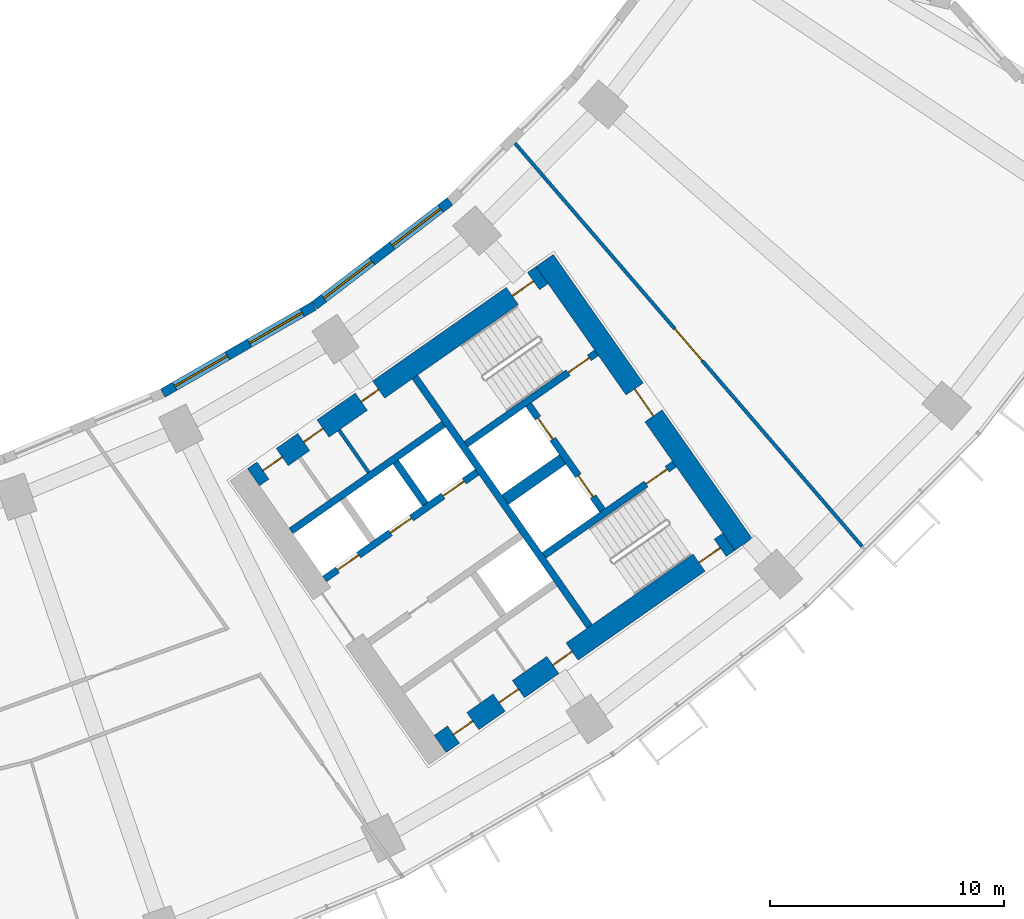
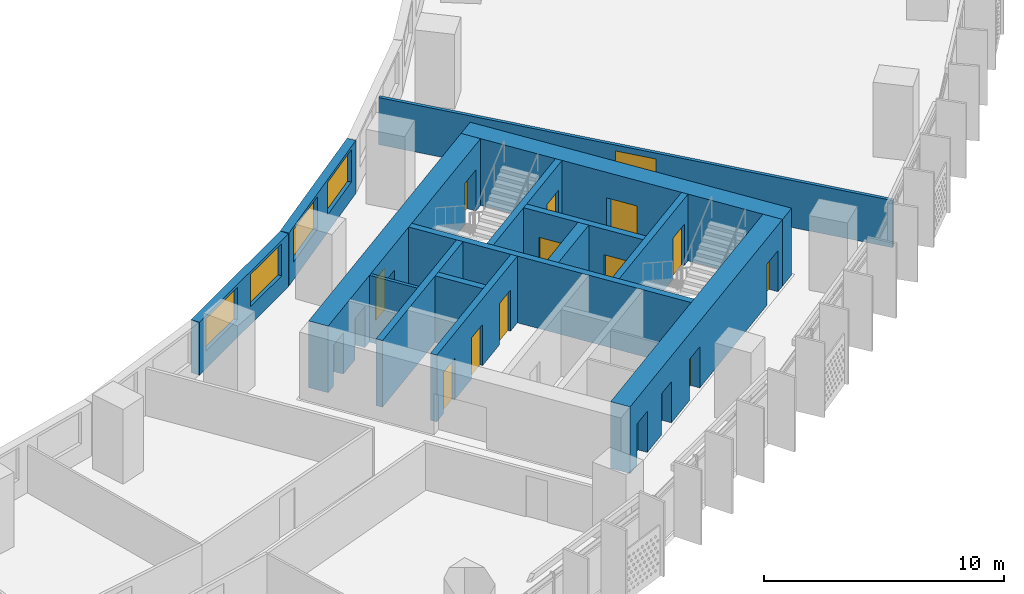
# One storey, part 7 of 31: 17 doors, 15 walls, 4 windows, 21 openings.
"""IFC4 building model written with IfcOpenShell, lengths in metres."""

from ifc_helpers import new_model, si_unit, direction, frame, frame_2d, origin, place, context, subcontext, project, spatial, rectangle, extrude, material, layer, layer_set, type_object, element, fill, save


model = new_model("IFC4")

# Units and contexts
model_context = context("Model", 3, precision=1e-05, world=origin(), true_north=direction((0.0, 1.0)))
body_context = subcontext(model_context, "Body", "Model", "MODEL_VIEW")
ifc_project = project(units=[si_unit("LENGTHUNIT", "METRE"), si_unit("AREAUNIT", "SQUARE_METRE"), si_unit("VOLUMEUNIT", "CUBIC_METRE"), si_unit("PLANEANGLEUNIT", "RADIAN"), si_unit("MASSUNIT", "GRAM", prefix="KILO")], contexts=[model_context])

# Site, building, storey
site_placement = place(None, origin())
site = spatial("IfcSite", under=ifc_project, at=site_placement, CompositionType="ELEMENT")
building_placement = place(site_placement, origin())
building = spatial("IfcBuilding", under=site, at=building_placement, Name="Qamariyya Broadcast Tower", CompositionType="ELEMENT")
storey_placement = place(building_placement, frame((0.0, 0.0, 86.10009765625)))
storey = spatial("IfcBuildingStorey", under=building, at=storey_placement, Name="L18", CompositionType="ELEMENT", Elevation=86.10009765625)

# Wall, opening, door
ifc_material_1 = material(Name="Concrete C70/85", Category="concrete")
ifc_layer_1 = layer(ifc_material_1, 0.89990234375)
ifc_layer_set_1 = layer_set([ifc_layer_1], Name="Core wall 900 mm Concrete C70/85")
wall_type_1 = type_object("IfcWallType", Name="Core wall 900 mm Concrete C70/85", PredefinedType="SHEAR", material=ifc_layer_set_1)
wall_1_placement = place(storey_placement, frame((49.778564453125, -57.191162109375, 0.0), z_axis=(0.0, 0.0, 1.0), x_axis=(-0.573577477574, 0.819151315216, 0.0)))
wall_1 = element("IfcWall", 1, at=wall_1_placement, inside=storey, type_object=wall_type_1, Name="k-E-L18-WH", PredefinedType="SHEAR", context=body_context, shape_type="SweptSolid", body=[
    extrude(rectangle(XDim=14.800048828125, YDim=0.89990234375, at=frame_2d((7.39990234375, 0.0))), origin(), (0.0, 0.0, 1.0), 3.39990234375),
])
opening_1_placement = place(wall_1_placement, frame((6.699951171875, 0.0, 0.0)))
opening_1 = element("IfcOpeningElement", 2, at=opening_1_placement, cuts=wall_1, Name="Opening KD2-E1", PredefinedType="OPENING", context=body_context, shape_type="SweptSolid", body=[
    extrude(rectangle(XDim=1.39990234375, YDim=2.10009765625, at=frame_2d((0.699951171875, 1.050048828125))), frame((0.0, 0.4599609375, 0.0), z_axis=(0.0, -1.0, 0.0), x_axis=(1.0, 0.0, 0.0)), (0.0, 0.0, 1.0), 0.919921875),
])
ifc_material_2 = material(Name="Steel fire-resisting door leaf", Category="steel")
door_type_1 = type_object("IfcDoorType", Name="Fire-fighting lobby door KD2", OperationType="DOUBLE_DOOR_SINGLE_SWING", PredefinedType="DOOR", material=ifc_material_2)
door_1_placement = place(opening_1_placement, origin())
door_1 = element("IfcDoor", 3, at=door_1_placement, inside=storey, type_object=door_type_1, Name="k-E-L18-WH-D14", OperationType="DOUBLE_DOOR_SINGLE_SWING", OverallHeight=2.10009765625, OverallWidth=1.39990234375, PredefinedType="DOOR", context=body_context, shape_type="SweptSolid", body=[
    extrude(rectangle(XDim=1.39990234375, YDim=2.10009765625, at=frame_2d((0.699951171875, 1.050048828125))), frame((0.0, 0.02490234375, 0.0), z_axis=(0.0, -1.0, 0.0), x_axis=(1.0, 0.0, 0.0)), (0.0, 0.0, 1.0), 0.050048828125),
])
fill(opening_1, door_1)

# Wall, openings, doors
wall_2_placement = place(storey_placement, frame((28.8544921875, -54.32421875, 0.0), z_axis=(0.0, 0.0, 1.0), x_axis=(0.819145767589, 0.573585400304, 0.0)))
wall_2 = element("IfcWall", 4, at=wall_2_placement, inside=storey, type_object=wall_type_1, Name="k-E-L18-WI", PredefinedType="SHEAR", context=body_context, shape_type="SweptSolid", body=[
    extrude(rectangle(XDim=15.04541015625, YDim=0.89990234375, at=frame_2d((7.522705078125, 0.0))), origin(), (0.0, 0.0, 1.0), 3.39990234375),
])
opening_2_placement = place(wall_2_placement, frame((0.5, 0.0, 0.0)))
opening_2 = element("IfcOpeningElement", 5, at=opening_2_placement, cuts=wall_2, Name="Opening KD6-E2", PredefinedType="OPENING", context=body_context, shape_type="SweptSolid", body=[
    extrude(rectangle(XDim=1.0, YDim=2.10009765625, at=frame_2d((0.5, 1.050048828125))), frame((0.0, 0.4599609375, 0.0), z_axis=(0.0, -1.0, 0.0), x_axis=(1.0, 0.0, 0.0)), (0.0, 0.0, 1.0), 0.919921875),
])
opening_3_placement = place(wall_2_placement, frame((2.625, 0.0, 0.0)))
opening_3 = element("IfcOpeningElement", 6, at=opening_3_placement, cuts=wall_2, Name="Opening KD7-E1", PredefinedType="OPENING", context=body_context, shape_type="SweptSolid", body=[
    extrude(rectangle(XDim=1.0, YDim=2.10009765625, at=frame_2d((0.5, 1.050048828125))), frame((0.0, 0.4599609375, 0.0), z_axis=(0.0, -1.0, 0.0), x_axis=(1.0, 0.0, 0.0)), (0.0, 0.0, 1.0), 0.919921875),
])
opening_4_placement = place(wall_2_placement, frame((5.625, 0.0, 0.0)))
opening_4 = element("IfcOpeningElement", 7, at=opening_4_placement, cuts=wall_2, Name="Opening KD5-E1", PredefinedType="OPENING", context=body_context, shape_type="SweptSolid", body=[
    extrude(rectangle(XDim=0.89990234375, YDim=2.10009765625, at=frame_2d((0.449951171875, 1.050048828125))), frame((0.0, 0.4599609375, 0.0), z_axis=(0.0, -1.0, 0.0), x_axis=(1.0, 0.0, 0.0)), (0.0, 0.0, 1.0), 0.919921875),
])
opening_5_placement = place(wall_2_placement, frame((13.495361328125, 0.0, 0.0)))
opening_5 = element("IfcOpeningElement", 8, at=opening_5_placement, cuts=wall_2, Name="Opening KD1-E1", PredefinedType="OPENING", context=body_context, shape_type="SweptSolid", body=[
    extrude(rectangle(XDim=1.10009765625, YDim=2.10009765625, at=frame_2d((0.550048828125, 1.050048828125))), frame((0.0, 0.4599609375, 0.0), z_axis=(0.0, -1.0, 0.0), x_axis=(1.0, 0.0, 0.0)), (0.0, 0.0, 1.0), 0.919921875),
])
door_type_2 = type_object("IfcDoorType", Name="Accessible toilet door KD7", OperationType="SINGLE_SWING_LEFT", PredefinedType="DOOR", material=ifc_material_2)
door_2_placement = place(opening_3_placement, origin())
door_2 = element("IfcDoor", 9, at=door_2_placement, inside=storey, type_object=door_type_2, Name="k-E-L18-WI-D7", OperationType="SINGLE_SWING_LEFT", OverallHeight=2.10009765625, OverallWidth=1.0, PredefinedType="DOOR", context=body_context, shape_type="SweptSolid", body=[
    extrude(rectangle(XDim=1.0, YDim=2.10009765625, at=frame_2d((0.5, 1.050048828125))), frame((0.0, 0.02490234375, 0.0), z_axis=(0.0, -1.0, 0.0), x_axis=(1.0, 0.0, 0.0)), (0.0, 0.0, 1.0), 0.050048828125),
])
fill(opening_3, door_2)
door_type_3 = type_object("IfcDoorType", Name="Core room door KD6", OperationType="SINGLE_SWING_LEFT", PredefinedType="DOOR", material=ifc_material_2)
door_3_placement = place(opening_2_placement, origin())
door_3 = element("IfcDoor", 10, at=door_3_placement, inside=storey, type_object=door_type_3, Name="k-E-L18-WI-D6", OperationType="SINGLE_SWING_RIGHT", OverallHeight=2.10009765625, OverallWidth=1.0, PredefinedType="DOOR", context=body_context, shape_type="SweptSolid", body=[
    extrude(rectangle(XDim=1.0, YDim=2.10009765625, at=frame_2d((0.5, 1.050048828125))), frame((0.0, 0.02490234375, 0.0), z_axis=(0.0, -1.0, 0.0), x_axis=(1.0, 0.0, 0.0)), (0.0, 0.0, 1.0), 0.050048828125),
])
fill(opening_2, door_3)
door_type_4 = type_object("IfcDoorType", Name="Stair door KD1", OperationType="SINGLE_SWING_LEFT", PredefinedType="DOOR", material=ifc_material_2)
door_4_placement = place(opening_5_placement, origin())
door_4 = element("IfcDoor", 11, at=door_4_placement, inside=storey, type_object=door_type_4, Name="k-E-L18-WI-D15", OperationType="SINGLE_SWING_RIGHT", OverallHeight=2.10009765625, OverallWidth=1.10009765625, PredefinedType="DOOR", context=body_context, shape_type="SweptSolid", body=[
    extrude(rectangle(XDim=1.10009765625, YDim=2.10009765625, at=frame_2d((0.550048828125, 1.050048828125))), frame((0.0, 0.02490234375, 0.0), z_axis=(0.0, -1.0, 0.0), x_axis=(1.0, 0.0, 0.0)), (0.0, 0.0, 1.0), 0.050048828125),
])
fill(opening_5, door_4)
door_type_5 = type_object("IfcDoorType", Name="Toilet door KD5", OperationType="SINGLE_SWING_LEFT", PredefinedType="DOOR", material=ifc_material_2)
door_5_placement = place(opening_4_placement, origin())
door_5 = element("IfcDoor", 12, at=door_5_placement, inside=storey, type_object=door_type_5, Name="k-E-L18-WI-D8", OperationType="SINGLE_SWING_RIGHT", OverallHeight=2.10009765625, OverallWidth=0.89990234375, PredefinedType="DOOR", context=body_context, shape_type="SweptSolid", body=[
    extrude(rectangle(XDim=0.89990234375, YDim=2.10009765625, at=frame_2d((0.449951171875, 1.050048828125))), frame((0.0, 0.02490234375, 0.0), z_axis=(0.0, -1.0, 0.0), x_axis=(1.0, 0.0, 0.0)), (0.0, 0.0, 1.0), 0.050048828125),
])
fill(opening_4, door_5)

wall_3_placement = place(storey_placement, frame((36.827392578125, -65.710205078125, 0.0), z_axis=(0.0, 0.0, 1.0), x_axis=(0.819153391756, 0.573574511963, 0.0)))
wall_3 = element("IfcWall", 13, at=wall_3_placement, inside=storey, type_object=wall_type_1, Name="k-E-L18-WO", PredefinedType="SHEAR", context=body_context, shape_type="SweptSolid", body=[
    extrude(rectangle(XDim=15.04541015625, YDim=0.89990234375, at=frame_2d((7.522705078125, 0.0))), origin(), (0.0, 0.0, 1.0), 3.39990234375),
])
opening_6_placement = place(wall_3_placement, frame((0.699951171875, 0.0, 0.0)))
opening_6 = element("IfcOpeningElement", 14, at=opening_6_placement, cuts=wall_3, Name="Opening KD6-E3", PredefinedType="OPENING", context=body_context, shape_type="SweptSolid", body=[
    extrude(rectangle(XDim=1.0, YDim=2.10009765625, at=frame_2d((0.5, 1.050048828125))), frame((0.0, 0.4599609375, 0.0), z_axis=(0.0, -1.0, 0.0), x_axis=(1.0, 0.0, 0.0)), (0.0, 0.0, 1.0), 0.919921875),
])
opening_7_placement = place(wall_3_placement, frame((3.074951171875, 0.0, 0.0)))
opening_7 = element("IfcOpeningElement", 15, at=opening_7_placement, cuts=wall_3, Name="Opening KD4-E1", PredefinedType="OPENING", context=body_context, shape_type="SweptSolid", body=[
    extrude(rectangle(XDim=1.0, YDim=2.10009765625, at=frame_2d((0.5, 1.050048828125))), frame((0.0, 0.4599609375, 0.0), z_axis=(0.0, -1.0, 0.0), x_axis=(1.0, 0.0, 0.0)), (0.0, 0.0, 1.0), 0.919921875),
])
opening_8_placement = place(wall_3_placement, frame((5.875, 0.0, 0.0)))
opening_8 = element("IfcOpeningElement", 16, at=opening_8_placement, cuts=wall_3, Name="Opening KD4-E2", PredefinedType="OPENING", context=body_context, shape_type="SweptSolid", body=[
    extrude(rectangle(XDim=1.0, YDim=2.10009765625, at=frame_2d((0.5, 1.050048828125))), frame((0.0, 0.4599609375, 0.0), z_axis=(0.0, -1.0, 0.0), x_axis=(1.0, 0.0, 0.0)), (0.0, 0.0, 1.0), 0.919921875),
])
opening_9_placement = place(wall_3_placement, frame((13.495361328125, 0.0, 0.0)))
opening_9 = element("IfcOpeningElement", 17, at=opening_9_placement, cuts=wall_3, Name="Opening KD1-E3", PredefinedType="OPENING", context=body_context, shape_type="SweptSolid", body=[
    extrude(rectangle(XDim=1.10009765625, YDim=2.10009765625, at=frame_2d((0.550048828125, 1.050048828125))), frame((0.0, 0.4599609375, 0.0), z_axis=(0.0, -1.0, 0.0), x_axis=(1.0, 0.0, 0.0)), (0.0, 0.0, 1.0), 0.919921875),
])
door_6_placement = place(opening_6_placement, origin())
door_6 = element("IfcDoor", 18, at=door_6_placement, inside=storey, type_object=door_type_3, Name="k-E-L18-WO-D9", OperationType="SINGLE_SWING_LEFT", OverallHeight=2.10009765625, OverallWidth=1.0, PredefinedType="DOOR", context=body_context, shape_type="SweptSolid", body=[
    extrude(rectangle(XDim=1.0, YDim=2.10009765625, at=frame_2d((0.5, 1.050048828125))), frame((0.0, 0.02490234375, 0.0), z_axis=(0.0, -1.0, 0.0), x_axis=(1.0, 0.0, 0.0)), (0.0, 0.0, 1.0), 0.050048828125),
])
fill(opening_6, door_6)
door_type_6 = type_object("IfcDoorType", Name="Riser and plant door KD4", OperationType="SINGLE_SWING_LEFT", PredefinedType="DOOR", material=ifc_material_2)
door_7_placement = place(opening_7_placement, origin())
door_7 = element("IfcDoor", 19, at=door_7_placement, inside=storey, type_object=door_type_6, Name="k-E-L18-WO-D10", OperationType="SINGLE_SWING_RIGHT", OverallHeight=2.10009765625, OverallWidth=1.0, PredefinedType="DOOR", context=body_context, shape_type="SweptSolid", body=[
    extrude(rectangle(XDim=1.0, YDim=2.10009765625, at=frame_2d((0.5, 1.050048828125))), frame((0.0, 0.02490234375, 0.0), z_axis=(0.0, -1.0, 0.0), x_axis=(1.0, 0.0, 0.0)), (0.0, 0.0, 1.0), 0.050048828125),
])
fill(opening_7, door_7)
door_8_placement = place(opening_8_placement, origin())
door_8 = element("IfcDoor", 20, at=door_8_placement, inside=storey, type_object=door_type_6, Name="k-E-L18-WO-D11", OperationType="SINGLE_SWING_LEFT", OverallHeight=2.10009765625, OverallWidth=1.0, PredefinedType="DOOR", context=body_context, shape_type="SweptSolid", body=[
    extrude(rectangle(XDim=1.0, YDim=2.10009765625, at=frame_2d((0.5, 1.050048828125))), frame((0.0, 0.02490234375, 0.0), z_axis=(0.0, -1.0, 0.0), x_axis=(1.0, 0.0, 0.0)), (0.0, 0.0, 1.0), 0.050048828125),
])
fill(opening_8, door_8)
door_9_placement = place(opening_9_placement, origin())
door_9 = element("IfcDoor", 21, at=door_9_placement, inside=storey, type_object=door_type_4, Name="k-E-L18-WO-D17", OperationType="SINGLE_SWING_LEFT", OverallHeight=2.10009765625, OverallWidth=1.10009765625, PredefinedType="DOOR", context=body_context, shape_type="SweptSolid", body=[
    extrude(rectangle(XDim=1.10009765625, YDim=2.10009765625, at=frame_2d((0.550048828125, 1.050048828125))), frame((0.0, 0.02490234375, 0.0), z_axis=(0.0, -1.0, 0.0), x_axis=(1.0, 0.0, 0.0)), (0.0, 0.0, 1.0), 0.050048828125),
])
fill(opening_9, door_9)

# Wall, opening, door
ifc_material_3 = material(Name="Gypsum board partition")
ifc_layer_2 = layer(ifc_material_3, 0.14990234375)
ifc_layer_set_2 = layer_set([ifc_layer_2], Name="Corridor partition 150 EI 60")
wall_type_2 = type_object("IfcWallType", Name="Corridor partition 150 EI 60", PredefinedType="PARTITIONING", material=ifc_layer_set_2)
wall_4_placement = place(storey_placement, frame((40.021240234375, -40.063232421875, 0.0), z_axis=(0.0, 0.0, 1.0), x_axis=(0.652471531746, -0.757813235739, 0.0)))
wall_4 = element("IfcWall", 22, at=wall_4_placement, inside=storey, type_object=wall_type_2, Name="Partition L18-036", PredefinedType="PARTITIONING", context=body_context, shape_type="SweptSolid", body=[
    extrude(rectangle(XDim=22.71484375, YDim=0.14990234375, at=frame_2d((11.357421875, 0.0))), origin(), (0.0, 0.0, 1.0), 2.39990234375),
])
opening_10_placement = place(wall_4_placement, frame((10.45751953125, 0.0, 0.0)))
opening_10 = element("IfcOpeningElement", 23, at=opening_10_placement, cuts=wall_4, Name="Opening L18-D18", PredefinedType="OPENING", context=body_context, shape_type="SweptSolid", body=[
    extrude(rectangle(XDim=1.800048828125, YDim=2.10009765625, at=frame_2d((0.89990234375, 1.050048828125))), frame((0.0, 0.0849609375, 0.0), z_axis=(0.0, -1.0, 0.0), x_axis=(1.0, 0.0, 0.0)), (0.0, 0.0, 1.0), 0.169921875),
])
ifc_material_4 = material(Name="Timber fire door leaf", Category="wood")
door_type_7 = type_object("IfcDoorType", Name="Double fire door 1800 x 2100 FD60", OperationType="NOTDEFINED", PredefinedType="DOOR", material=ifc_material_4)
door_10_placement = place(opening_10_placement, origin())
door_10 = element("IfcDoor", 24, at=door_10_placement, inside=storey, type_object=door_type_7, Name="Door L18-D18", OperationType="DOUBLE_DOOR_SINGLE_SWING", OverallHeight=2.10009765625, OverallWidth=1.800048828125, PredefinedType="DOOR", context=body_context, shape_type="SweptSolid", body=[
    extrude(rectangle(XDim=1.800048828125, YDim=2.10009765625, at=frame_2d((0.89990234375, 1.050048828125))), frame((0.0, 0.02490234375, 0.0), z_axis=(0.0, -1.0, 0.0), x_axis=(1.0, 0.0, 0.0)), (0.0, 0.0, 1.0), 0.050048828125),
])
fill(opening_10, door_10)

# Walls
ifc_material_5 = material(Name="Concrete C60/75", Category="concrete")
ifc_layer_3 = layer(ifc_material_5, 0.5)
ifc_layer_set_3 = layer_set([ifc_layer_3], Name="Fire-fighting lobby divider wall 500 mm Concrete C60/75")
wall_type_3 = type_object("IfcWallType", Name="Fire-fighting lobby divider wall 500 mm Concrete C60/75", PredefinedType="SOLIDWALL", material=ifc_layer_set_3)
wall_5_placement = place(storey_placement, frame((39.59912109375, -55.28515625, 0.0), z_axis=(0.0, 0.0, 1.0), x_axis=(0.819136323161, 0.573598887793, 0.0)))
element("IfcWall", 25, at=wall_5_placement, inside=storey, type_object=wall_type_3, Name="k-E-L18-FD", PredefinedType="SOLIDWALL", context=body_context, shape_type="SweptSolid", body=[
    extrude(rectangle(XDim=2.999755859375, YDim=0.5, at=frame_2d((1.5, 0.0))), origin(), (0.0, 0.0, 1.0), 3.39990234375),
])
ifc_material_6 = material(Name="Gypsum board partition on steel studs", Category="steel")
ifc_layer_4 = layer(ifc_material_6, 0.14990234375)
ifc_layer_set_4 = layer_set([ifc_layer_4], Name="Gypsum board partition 150 mm")
wall_type_4 = type_object("IfcWallType", Name="Gypsum board partition 150 mm", PredefinedType="PARTITIONING", material=ifc_layer_set_4)
wall_6_placement = place(storey_placement, frame((33.774169921875, -54.114501953125, 0.0), z_axis=(0.0, 0.0, 1.0), x_axis=(-0.573581496053, 0.819148501424, 0.0)))
element("IfcWall", 26, at=wall_6_placement, inside=storey, type_object=wall_type_4, Name="k-E-L18-NP415", PredefinedType="PARTITIONING", context=body_context, shape_type="SweptSolid", body=[
    extrude(rectangle(XDim=2.2001953125, YDim=0.14990234375, at=frame_2d((1.10009765625, 0.0))), origin(), (0.0, 0.0, 1.0), 3.39990234375),
])
ifc_layer_5 = layer(ifc_material_5, 0.300048828125)
ifc_layer_set_5 = layer_set([ifc_layer_5], Name="Lift shaft wall 300 mm Concrete C60/75")
wall_type_5 = type_object("IfcWallType", Name="Lift shaft wall 300 mm Concrete C60/75", PredefinedType="SOLIDWALL", material=ifc_layer_set_5)
wall_7_placement = place(storey_placement, frame((43.204345703125, -60.69580078125, 0.0), z_axis=(0.0, 0.0, 1.0), x_axis=(-0.573571992966, 0.819155155563, 0.0)))
element("IfcWall", 27, at=wall_7_placement, inside=storey, type_object=wall_type_5, Name="k-E-L18-WL", PredefinedType="SOLIDWALL", context=body_context, shape_type="SweptSolid", body=[
    extrude(rectangle(XDim=13.000244140625, YDim=0.300048828125, at=frame_2d((6.5, 0.0))), origin(), (0.0, 0.0, 1.0), 3.39990234375),
])

# Wall, openings, doors
wall_8_placement = place(storey_placement, frame((31.89453125, -58.66552734375, 0.0), z_axis=(0.0, 0.0, 1.0), x_axis=(0.819166993208, 0.573555086491, 0.0)))
wall_8 = element("IfcWall", 28, at=wall_8_placement, inside=storey, type_object=wall_type_5, Name="k-E-L18-NF0", PredefinedType="SOLIDWALL", context=body_context, shape_type="SweptSolid", body=[
    extrude(rectangle(XDim=7.9501953125, YDim=0.300048828125, at=frame_2d((3.97509765625, 0.0))), origin(), (0.0, 0.0, 1.0), 3.39990234375),
])
opening_11_placement = place(wall_8_placement, frame((0.675048828125, 0.0, 0.0)))
opening_11 = element("IfcOpeningElement", 29, at=opening_11_placement, cuts=wall_8, Name="Opening LD", PredefinedType="OPENING", context=body_context, shape_type="SweptSolid", body=[
    extrude(rectangle(XDim=1.10009765625, YDim=2.10009765625, at=frame_2d((0.550048828125, 1.050048828125))), frame((0.0, 0.159912109375, 0.0), z_axis=(0.0, -1.0, 0.0), x_axis=(1.0, 0.0, 0.0)), (0.0, 0.0, 1.0), 0.320068359375),
])
opening_12_placement = place(wall_8_placement, frame((3.425048828125, 0.0, 0.0)))
opening_12 = element("IfcOpeningElement", 30, at=opening_12_placement, cuts=wall_8, Name="Opening LD", PredefinedType="OPENING", context=body_context, shape_type="SweptSolid", body=[
    extrude(rectangle(XDim=1.10009765625, YDim=2.10009765625, at=frame_2d((0.550048828125, 1.050048828125))), frame((0.0, 0.159912109375, 0.0), z_axis=(0.0, -1.0, 0.0), x_axis=(1.0, 0.0, 0.0)), (0.0, 0.0, 1.0), 0.320068359375),
])
opening_13_placement = place(wall_8_placement, frame((6.175048828125, 0.0, 0.0)))
opening_13 = element("IfcOpeningElement", 31, at=opening_13_placement, cuts=wall_8, Name="Opening LD", PredefinedType="OPENING", context=body_context, shape_type="SweptSolid", body=[
    extrude(rectangle(XDim=1.10009765625, YDim=2.10009765625, at=frame_2d((0.550048828125, 1.050048828125))), frame((0.0, 0.159912109375, 0.0), z_axis=(0.0, -1.0, 0.0), x_axis=(1.0, 0.0, 0.0)), (0.0, 0.0, 1.0), 0.320068359375),
])
door_type_8 = type_object("IfcDoorType", Name="Lift landing door LD", OperationType="DOUBLE_DOOR_SLIDING", PredefinedType="DOOR", material=ifc_material_2)
door_11_placement = place(opening_11_placement, origin())
door_11 = element("IfcDoor", 32, at=door_11_placement, inside=storey, type_object=door_type_8, Name="k-E-L18-NF0-D2", OperationType="DOUBLE_DOOR_SLIDING", OverallHeight=2.10009765625, OverallWidth=1.10009765625, PredefinedType="DOOR", context=body_context, shape_type="SweptSolid", body=[
    extrude(rectangle(XDim=1.10009765625, YDim=2.10009765625, at=frame_2d((0.550048828125, 1.050048828125))), frame((0.0, 0.02490234375, 0.0), z_axis=(0.0, -1.0, 0.0), x_axis=(1.0, 0.0, 0.0)), (0.0, 0.0, 1.0), 0.050048828125),
])
fill(opening_11, door_11)
door_12_placement = place(opening_12_placement, origin())
door_12 = element("IfcDoor", 33, at=door_12_placement, inside=storey, type_object=door_type_8, Name="k-E-L18-NF0-D3", OperationType="DOUBLE_DOOR_SLIDING", OverallHeight=2.10009765625, OverallWidth=1.10009765625, PredefinedType="DOOR", context=body_context, shape_type="SweptSolid", body=[
    extrude(rectangle(XDim=1.10009765625, YDim=2.10009765625, at=frame_2d((0.550048828125, 1.050048828125))), frame((0.0, 0.02490234375, 0.0), z_axis=(0.0, -1.0, 0.0), x_axis=(1.0, 0.0, 0.0)), (0.0, 0.0, 1.0), 0.050048828125),
])
fill(opening_12, door_12)
door_13_placement = place(opening_13_placement, origin())
door_13 = element("IfcDoor", 34, at=door_13_placement, inside=storey, type_object=door_type_8, Name="k-E-L18-NF0-D4", OperationType="DOUBLE_DOOR_SLIDING", OverallHeight=2.10009765625, OverallWidth=1.10009765625, PredefinedType="DOOR", context=body_context, shape_type="SweptSolid", body=[
    extrude(rectangle(XDim=1.10009765625, YDim=2.10009765625, at=frame_2d((0.550048828125, 1.050048828125))), frame((0.0, 0.02490234375, 0.0), z_axis=(0.0, -1.0, 0.0), x_axis=(1.0, 0.0, 0.0)), (0.0, 0.0, 1.0), 0.050048828125),
])
fill(opening_13, door_13)

# Walls
wall_9_placement = place(storey_placement, frame((30.460693359375, -56.61767578125, 0.0), z_axis=(0.0, 0.0, 1.0), x_axis=(0.819142461705, 0.573590121456, 0.0)))
element("IfcWall", 35, at=wall_9_placement, inside=storey, type_object=wall_type_5, Name="k-E-L18-NB0", PredefinedType="SOLIDWALL", context=body_context, shape_type="SweptSolid", body=[
    extrude(rectangle(XDim=7.949951171875, YDim=0.300048828125, at=frame_2d((3.97509765625, 0.0))), origin(), (0.0, 0.0, 1.0), 3.39990234375),
])
wall_10_placement = place(storey_placement, frame((36.19091796875, -55.47412109375, 0.0), z_axis=(0.0, 0.0, 1.0), x_axis=(-0.573507030513, 0.819200638399, 0.0)))
element("IfcWall", 36, at=wall_10_placement, inside=storey, type_object=wall_type_5, Name="k-E-L18-ND1", PredefinedType="SOLIDWALL", context=body_context, shape_type="SweptSolid", body=[
    extrude(rectangle(XDim=2.199951171875, YDim=0.300048828125, at=frame_2d((1.10009765625, 0.0))), origin(), (0.0, 0.0, 1.0), 3.39990234375),
])

# Wall, opening, door
wall_11_placement = place(storey_placement, frame((37.935546875, -52.90966796875, 0.0), z_axis=(0.0, 0.0, 1.0), x_axis=(0.819147518138, 0.57358290031, 0.0)))
wall_11 = element("IfcWall", 37, at=wall_11_placement, inside=storey, type_object=wall_type_5, Name="k-E-L18-NW", PredefinedType="SOLIDWALL", context=body_context, shape_type="SweptSolid", body=[
    extrude(rectangle(XDim=6.79541015625, YDim=0.300048828125, at=frame_2d((3.397705078125, 0.0))), origin(), (0.0, 0.0, 1.0), 3.39990234375),
])
opening_14_placement = place(wall_11_placement, frame((5.3203125, 0.0, 0.0)))
opening_14 = element("IfcOpeningElement", 38, at=opening_14_placement, cuts=wall_11, Name="Opening KD1-E2", PredefinedType="OPENING", context=body_context, shape_type="SweptSolid", body=[
    extrude(rectangle(XDim=1.10009765625, YDim=2.10009765625, at=frame_2d((0.550048828125, 1.050048828125))), frame((0.0, 0.159912109375, 0.0), z_axis=(0.0, -1.0, 0.0), x_axis=(1.0, 0.0, 0.0)), (0.0, 0.0, 1.0), 0.320068359375),
])
door_14_placement = place(opening_14_placement, origin())
door_14 = element("IfcDoor", 39, at=door_14_placement, inside=storey, type_object=door_type_4, Name="k-E-L18-NW-D16", OperationType="SINGLE_SWING_RIGHT", OverallHeight=2.10009765625, OverallWidth=1.10009765625, PredefinedType="DOOR", context=body_context, shape_type="SweptSolid", body=[
    extrude(rectangle(XDim=1.10009765625, YDim=2.10009765625, at=frame_2d((0.550048828125, 1.050048828125))), frame((0.0, 0.02490234375, 0.0), z_axis=(0.0, -1.0, 0.0), x_axis=(1.0, 0.0, 0.0)), (0.0, 0.0, 1.0), 0.050048828125),
])
fill(opening_14, door_14)

wall_12_placement = place(storey_placement, frame((41.262451171875, -57.66064453125, 0.0), z_axis=(0.0, 0.0, 1.0), x_axis=(0.819164398642, 0.573558792102, 0.0)))
wall_12 = element("IfcWall", 40, at=wall_12_placement, inside=storey, type_object=wall_type_5, Name="k-E-L18-SW", PredefinedType="SOLIDWALL", context=body_context, shape_type="SweptSolid", body=[
    extrude(rectangle(XDim=6.795166015625, YDim=0.300048828125, at=frame_2d((3.3974609375, 0.0))), origin(), (0.0, 0.0, 1.0), 3.39990234375),
])
opening_15_placement = place(wall_12_placement, frame((5.3203125, 0.0, 0.0)))
opening_15 = element("IfcOpeningElement", 41, at=opening_15_placement, cuts=wall_12, Name="Opening KD1-E4", PredefinedType="OPENING", context=body_context, shape_type="SweptSolid", body=[
    extrude(rectangle(XDim=1.10009765625, YDim=2.10009765625, at=frame_2d((0.550048828125, 1.050048828125))), frame((0.0, 0.159912109375, 0.0), z_axis=(0.0, -1.0, 0.0), x_axis=(1.0, 0.0, 0.0)), (0.0, 0.0, 1.0), 0.320068359375),
])
door_15_placement = place(opening_15_placement, origin())
door_15 = element("IfcDoor", 42, at=door_15_placement, inside=storey, type_object=door_type_4, Name="k-E-L18-SW-D18", OperationType="SINGLE_SWING_RIGHT", OverallHeight=2.10009765625, OverallWidth=1.10009765625, PredefinedType="DOOR", context=body_context, shape_type="SweptSolid", body=[
    extrude(rectangle(XDim=1.10009765625, YDim=2.10009765625, at=frame_2d((0.550048828125, 1.050048828125))), frame((0.0, 0.02490234375, 0.0), z_axis=(0.0, -1.0, 0.0), x_axis=(1.0, 0.0, 0.0)), (0.0, 0.0, 1.0), 0.050048828125),
])
fill(opening_15, door_15)

# Wall, openings, doors
wall_13_placement = place(storey_placement, frame((43.756591796875, -55.731201171875, 0.0), z_axis=(0.0, 0.0, 1.0), x_axis=(-0.573536818435, 0.819179783625, 0.0)))
wall_13 = element("IfcWall", 43, at=wall_13_placement, inside=storey, type_object=wall_type_5, Name="k-E-L18-FF", PredefinedType="SOLIDWALL", context=body_context, shape_type="SweptSolid", body=[
    extrude(rectangle(XDim=5.500244140625, YDim=0.300048828125, at=frame_2d((2.75, 0.0))), origin(), (0.0, 0.0, 1.0), 3.39990234375),
])
opening_16_placement = place(wall_13_placement, frame((0.699951171875, 0.0, 0.0)))
opening_16 = element("IfcOpeningElement", 44, at=opening_16_placement, cuts=wall_13, Name="Opening LD", PredefinedType="OPENING", context=body_context, shape_type="SweptSolid", body=[
    extrude(rectangle(XDim=1.10009765625, YDim=2.10009765625, at=frame_2d((0.550048828125, 1.050048828125))), frame((0.0, 0.159912109375, 0.0), z_axis=(0.0, -1.0, 0.0), x_axis=(1.0, 0.0, 0.0)), (0.0, 0.0, 1.0), 0.320068359375),
])
opening_17_placement = place(wall_13_placement, frame((3.699951171875, 0.0, 0.0)))
opening_17 = element("IfcOpeningElement", 45, at=opening_17_placement, cuts=wall_13, Name="Opening LD", PredefinedType="OPENING", context=body_context, shape_type="SweptSolid", body=[
    extrude(rectangle(XDim=1.10009765625, YDim=2.10009765625, at=frame_2d((0.550048828125, 1.050048828125))), frame((0.0, 0.159912109375, 0.0), z_axis=(0.0, -1.0, 0.0), x_axis=(1.0, 0.0, 0.0)), (0.0, 0.0, 1.0), 0.320068359375),
])
door_16_placement = place(opening_16_placement, origin())
door_16 = element("IfcDoor", 46, at=door_16_placement, inside=storey, type_object=door_type_8, Name="k-E-L18-FF-D12", OperationType="DOUBLE_DOOR_SLIDING", OverallHeight=2.10009765625, OverallWidth=1.10009765625, PredefinedType="DOOR", context=body_context, shape_type="SweptSolid", body=[
    extrude(rectangle(XDim=1.10009765625, YDim=2.10009765625, at=frame_2d((0.550048828125, 1.050048828125))), frame((0.0, 0.02490234375, 0.0), z_axis=(0.0, -1.0, 0.0), x_axis=(1.0, 0.0, 0.0)), (0.0, 0.0, 1.0), 0.050048828125),
])
fill(opening_16, door_16)
door_17_placement = place(opening_17_placement, origin())
door_17 = element("IfcDoor", 47, at=door_17_placement, inside=storey, type_object=door_type_8, Name="k-E-L18-FF-D13", OperationType="DOUBLE_DOOR_SLIDING", OverallHeight=2.10009765625, OverallWidth=1.10009765625, PredefinedType="DOOR", context=body_context, shape_type="SweptSolid", body=[
    extrude(rectangle(XDim=1.10009765625, YDim=2.10009765625, at=frame_2d((0.550048828125, 1.050048828125))), frame((0.0, 0.02490234375, 0.0), z_axis=(0.0, -1.0, 0.0), x_axis=(1.0, 0.0, 0.0)), (0.0, 0.0, 1.0), 0.050048828125),
])
fill(opening_17, door_17)

# Wall, openings, windows
ifc_material_7 = material(Name="Terracotta", Category="masonry")
ifc_layer_6 = layer(ifc_material_7, 0.39990234375)
ifc_layer_set_6 = layer_set([ifc_layer_6], Name="Terracotta clad wall 400")
wall_type_6 = type_object("IfcWallType", Name="Terracotta clad wall 400", PredefinedType="SOLIDWALL", material=ifc_layer_set_6)
wall_14_placement = place(storey_placement, frame((31.439453125, -47.007568359375, 0.0), z_axis=(0.0, 0.0, 1.0), x_axis=(-0.866037641005, -0.499978803913, 0.0)))
wall_14 = element("IfcWall", 48, at=wall_14_placement, inside=storey, type_object=wall_type_6, Name="e-wl-L18-in120", PredefinedType="SOLIDWALL", context=body_context, shape_type="SweptSolid", body=[
    extrude(rectangle(XDim=7.447021484375, YDim=0.39990234375, at=frame_2d((3.7236328125, 0.0))), origin(), (0.0, 0.0, 1.0), 2.699951171875),
])
opening_18_placement = place(wall_14_placement, frame((4.266357421875, 0.0, 0.89990234375)))
opening_18 = element("IfcOpeningElement", 49, at=opening_18_placement, cuts=wall_14, Name="Opening W1", PredefinedType="OPENING", context=body_context, shape_type="SweptSolid", body=[
    extrude(rectangle(XDim=2.60009765625, YDim=1.64990234375, at=frame_2d((1.300048828125, 0.824951171875))), frame((0.0, 0.2099609375, 0.0), z_axis=(0.0, -1.0, 0.0), x_axis=(1.0, 0.0, 0.0)), (0.0, 0.0, 1.0), 0.419921875),
])
opening_19_placement = place(wall_14_placement, frame((0.580810546875, 0.0, 0.89990234375)))
opening_19 = element("IfcOpeningElement", 50, at=opening_19_placement, cuts=wall_14, Name="Opening W1", PredefinedType="OPENING", context=body_context, shape_type="SweptSolid", body=[
    extrude(rectangle(XDim=2.60009765625, YDim=1.64990234375, at=frame_2d((1.300048828125, 0.824951171875))), frame((0.0, 0.2099609375, 0.0), z_axis=(0.0, -1.0, 0.0), x_axis=(1.0, 0.0, 0.0)), (0.0, 0.0, 1.0), 0.419921875),
])
ifc_material_8 = material(Name="Clear low-e double glazed unit in aluminium frame", Category="aluminium")
window_type = type_object("IfcWindowType", Name="Ribbon window 2600 x 1650", PartitioningType="SINGLE_PANEL", PredefinedType="WINDOW", material=ifc_material_8)
window_1_placement = place(opening_18_placement, origin())
window_1 = element("IfcWindow", 51, at=window_1_placement, inside=storey, type_object=window_type, Name="e-w-L18-in12-0", OverallHeight=1.64990234375, OverallWidth=2.60009765625, PartitioningType="SINGLE_PANEL", PredefinedType="WINDOW", context=body_context, shape_type="SweptSolid", body=[
    extrude(rectangle(XDim=2.60009765625, YDim=1.64990234375, at=frame_2d((1.300048828125, 0.824951171875))), frame((0.0, 0.030029296875, 0.0), z_axis=(0.0, -1.0, 0.0), x_axis=(1.0, 0.0, 0.0)), (0.0, 0.0, 1.0), 0.06005859375),
])
fill(opening_18, window_1)
window_2_placement = place(opening_19_placement, origin())
window_2 = element("IfcWindow", 52, at=window_2_placement, inside=storey, type_object=window_type, Name="e-w-L18-in12-1", OverallHeight=1.64990234375, OverallWidth=2.60009765625, PartitioningType="SINGLE_PANEL", PredefinedType="WINDOW", context=body_context, shape_type="SweptSolid", body=[
    extrude(rectangle(XDim=2.60009765625, YDim=1.64990234375, at=frame_2d((1.300048828125, 0.824951171875))), frame((0.0, 0.030029296875, 0.0), z_axis=(0.0, -1.0, 0.0), x_axis=(1.0, 0.0, 0.0)), (0.0, 0.0, 1.0), 0.06005859375),
])
fill(opening_19, window_2)

wall_15_placement = place(storey_placement, frame((37.24609375, -42.5478515625, 0.0), z_axis=(0.0, 0.0, 1.0), x_axis=(-0.79336607943, -0.60874482668, 0.0)))
wall_15 = element("IfcWall", 53, at=wall_15_placement, inside=storey, type_object=wall_type_6, Name="e-wl-L18-in130", PredefinedType="SOLIDWALL", context=body_context, shape_type="SweptSolid", body=[
    extrude(rectangle(XDim=7.295654296875, YDim=0.39990234375, at=frame_2d((3.64794921875, 0.0))), origin(), (0.0, 0.0, 1.0), 2.699951171875),
])
opening_20_placement = place(wall_15_placement, frame((4.190673828125, 0.0, 0.89990234375)))
opening_20 = element("IfcOpeningElement", 54, at=opening_20_placement, cuts=wall_15, Name="Opening W1", PredefinedType="OPENING", context=body_context, shape_type="SweptSolid", body=[
    extrude(rectangle(XDim=2.60009765625, YDim=1.64990234375, at=frame_2d((1.300048828125, 0.824951171875))), frame((0.0, 0.2099609375, 0.0), z_axis=(0.0, -1.0, 0.0), x_axis=(1.0, 0.0, 0.0)), (0.0, 0.0, 1.0), 0.419921875),
])
opening_21_placement = place(wall_15_placement, frame((0.505126953125, 0.0, 0.89990234375)))
opening_21 = element("IfcOpeningElement", 55, at=opening_21_placement, cuts=wall_15, Name="Opening W1", PredefinedType="OPENING", context=body_context, shape_type="SweptSolid", body=[
    extrude(rectangle(XDim=2.60009765625, YDim=1.64990234375, at=frame_2d((1.300048828125, 0.824951171875))), frame((0.0, 0.2099609375, 0.0), z_axis=(0.0, -1.0, 0.0), x_axis=(1.0, 0.0, 0.0)), (0.0, 0.0, 1.0), 0.419921875),
])
window_3_placement = place(opening_20_placement, origin())
window_3 = element("IfcWindow", 56, at=window_3_placement, inside=storey, type_object=window_type, Name="e-w-L18-in13-0", OverallHeight=1.64990234375, OverallWidth=2.60009765625, PartitioningType="SINGLE_PANEL", PredefinedType="WINDOW", context=body_context, shape_type="SweptSolid", body=[
    extrude(rectangle(XDim=2.60009765625, YDim=1.64990234375, at=frame_2d((1.300048828125, 0.824951171875))), frame((0.0, 0.030029296875, 0.0), z_axis=(0.0, -1.0, 0.0), x_axis=(1.0, 0.0, 0.0)), (0.0, 0.0, 1.0), 0.06005859375),
])
fill(opening_20, window_3)
window_4_placement = place(opening_21_placement, origin())
window_4 = element("IfcWindow", 57, at=window_4_placement, inside=storey, type_object=window_type, Name="e-w-L18-in13-1", OverallHeight=1.64990234375, OverallWidth=2.60009765625, PartitioningType="SINGLE_PANEL", PredefinedType="WINDOW", context=body_context, shape_type="SweptSolid", body=[
    extrude(rectangle(XDim=2.60009765625, YDim=1.64990234375, at=frame_2d((1.300048828125, 0.824951171875))), frame((0.0, 0.030029296875, 0.0), z_axis=(0.0, -1.0, 0.0), x_axis=(1.0, 0.0, 0.0)), (0.0, 0.0, 1.0), 0.06005859375),
])
fill(opening_21, window_4)

save(model, "model.ifc")
